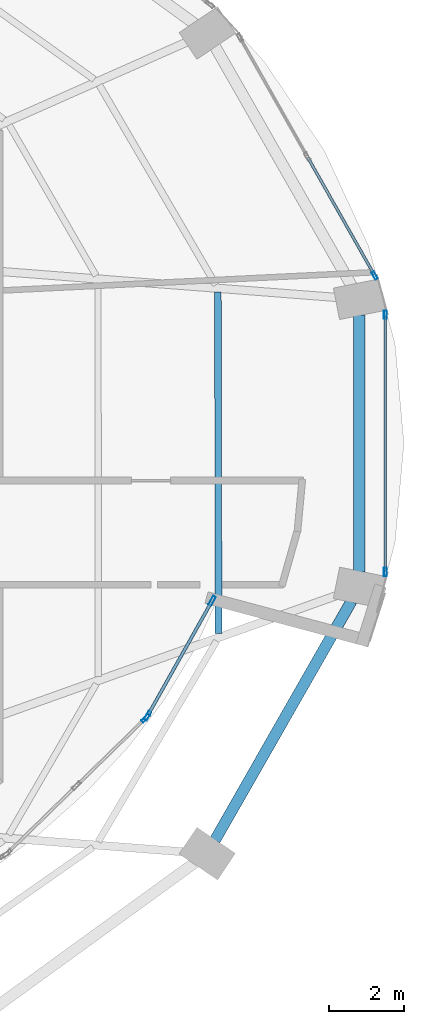
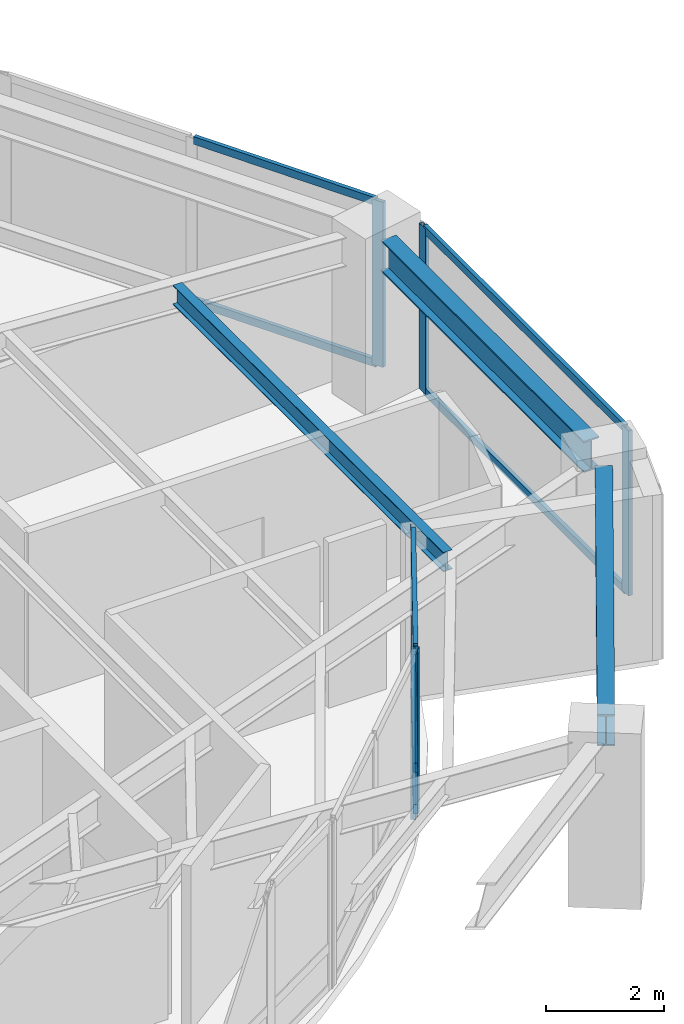
# One storey, part 12 of 24: 13 members, 3 beams, 4 elements without a shape of their own.
"""IFC4 building model written with IfcOpenShell, lengths in metres."""

from ifc_helpers import new_model, si_unit, direction, frame, origin, origin_2d, place, context, subcontext, project, spatial, hollow_rectangle, i_section, extrude, material, layer, layer_set, material_profile, profile_set, type_object, element, aggregate, save


model = new_model("IFC4")

# Units and contexts
model_context = context("Model", 3, precision=1e-05, world=origin(), true_north=direction((0.0, 1.0)))
body_context = subcontext(model_context, "Body", "Model", "MODEL_VIEW")
ifc_project = project(units=[si_unit("LENGTHUNIT", "METRE"), si_unit("AREAUNIT", "SQUARE_METRE"), si_unit("VOLUMEUNIT", "CUBIC_METRE"), si_unit("PLANEANGLEUNIT", "RADIAN"), si_unit("MASSUNIT", "GRAM", prefix="KILO")], contexts=[model_context])

# Site, building, storey
site_placement = place(None, origin())
site = spatial("IfcSite", under=ifc_project, at=site_placement, CompositionType="ELEMENT")
building_placement = place(site_placement, origin())
building = spatial("IfcBuilding", under=site, at=building_placement, Name="Lazwardi Medical Tower", CompositionType="ELEMENT")
storey_placement = place(building_placement, frame((0.0, 0.0, 65.327880859375)))
storey = spatial("IfcBuildingStorey", under=building, at=storey_placement, Name="L16", CompositionType="ELEMENT", Elevation=65.327880859375)

# Beams
ifc_material_1 = material(Name="Steel S355", Category="steel")
ifc_material_profile_1 = material_profile(ifc_material_1, i_section(OverallWidth=0.300048828125, OverallDepth=0.64990234375, WebThickness=0.01611328125, FlangeThickness=0.031005859375, at=origin_2d()), Name="HEB 650")
ifc_profile_set_1 = profile_set([ifc_material_profile_1], Name="Steel S355")
beam_type_1 = type_object("IfcBeamType", Name="BM-RB-Z1", PredefinedType="BEAM", material=ifc_profile_set_1)
beam_1_placement = place(storey_placement, frame((58.927978515625, 19.75048828125, 3.10302734375), z_axis=(0.495829348644, 0.868419977328, 0.0), x_axis=(-0.868419977328, 0.495829348644, 0.0)))
element("IfcBeam", 1, at=beam_1_placement, inside=storey, type_object=beam_type_1, Name="Ring beam RB-02 B03 L16", PredefinedType="BEAM", context=body_context, shape_type="SweptSolid", body=[
    extrude(i_section(OverallWidth=0.300048828125, OverallDepth=0.64990234375, WebThickness=0.01611328125, FlangeThickness=0.031005859375, at=origin_2d()), origin(), (0.0, 0.0, 1.0), 7.38916015625),
])
beam_2_placement = place(storey_placement, frame((62.800048828125, 26.952392578125, 3.10302734375), z_axis=(0.0, 1.0, 0.0), x_axis=(-1.0, 0.0, 0.0)))
element("IfcBeam", 2, at=beam_2_placement, inside=storey, type_object=beam_type_1, Name="Ring beam RB-02 B04 L16", PredefinedType="BEAM", context=body_context, shape_type="SweptSolid", body=[
    extrude(i_section(OverallWidth=0.300048828125, OverallDepth=0.64990234375, WebThickness=0.01611328125, FlangeThickness=0.031005859375, at=origin_2d()), origin(), (0.0, 0.0, 1.0), 6.895263671875),
])
ifc_material_profile_2 = material_profile(ifc_material_1, i_section(OverallWidth=0.179931640625, OverallDepth=0.39990234375, WebThickness=0.008544921875, FlangeThickness=0.013427734375, at=origin_2d()), Name="IPE 400")
ifc_profile_set_2 = profile_set([ifc_material_profile_2], Name="Steel S355")
beam_type_2 = type_object("IfcBeamType", Name="BM-SJ-01", PredefinedType="JOIST", material=ifc_profile_set_2)
beam_3_placement = place(storey_placement, frame((59.0234375, 25.291015625, 3.22802734375), z_axis=(-0.002077613181, 0.999997841759, 0.0), x_axis=(-0.999997841759, -0.002077613181, 0.0)))
element("IfcBeam", 3, at=beam_3_placement, inside=storey, type_object=beam_type_2, Name="Secondary joist SJ-01 R1 B04 L16", PredefinedType="JOIST", context=body_context, shape_type="SweptSolid", body=[
    extrude(i_section(OverallWidth=0.179931640625, OverallDepth=0.39990234375, WebThickness=0.008544921875, FlangeThickness=0.013427734375, at=origin_2d()), origin(), (0.0, 0.0, 1.0), 9.165771484375),
])

# Curtain wall, members
ifc_material_2 = material(Name="Anodised bronze aluminium and solar control glazing", Category="aluminium")
ifc_layer_1 = layer(ifc_material_2, 0.199951171875)
ifc_layer_set_1 = layer_set([ifc_layer_1], Name="Anodised bronze aluminium and solar control glazing")
curtain_wall_type_1 = type_object("IfcCurtainWallType", Name="CW-SYS-02", PredefinedType="NOTDEFINED", material=ifc_layer_set_1)
curtain_wall_1_placement = place(storey_placement, origin())
curtain_wall_1 = element("IfcCurtainWall", 4, at=curtain_wall_1_placement, inside=storey, type_object=curtain_wall_type_1, Name="L16 Unitised bronze curtain wall CW-02", PredefinedType="NOTDEFINED")
ifc_material_3 = material(Name="Anodised bronze aluminium", Category="aluminium")
ifc_material_profile_3 = material_profile(ifc_material_3, hollow_rectangle(XDim=0.074951171875, YDim=0.219970703125, WallThickness=0.00390625, at=origin_2d()), Name="ALU-MULLION 220x75x4")
ifc_profile_set_3 = profile_set([ifc_material_profile_3], Name="Anodised bronze aluminium")
member_type_1 = type_object("IfcMemberType", Name="CW-MUL-01", PredefinedType="MULLION", material=ifc_profile_set_3)
member_1_placement = place(storey_placement, frame((63.49853515625, 26.946044921875, 0.0), z_axis=(0.0, 0.0, 1.0), x_axis=(-1.0, 0.0, 0.0)))
member_1 = element("IfcMember", 5, at=member_1_placement, type_object=member_type_1, Name="CW-02 mullion 1", PredefinedType="MULLION", context=body_context, shape_type="SweptSolid", body=[
    extrude(hollow_rectangle(XDim=0.074951171875, YDim=0.219970703125, WallThickness=0.00390625, at=origin_2d()), origin(), (0.0, 0.0, 1.0), 3.42822265625),
])
member_2_placement = place(storey_placement, frame((63.49853515625, 33.85400390625, 0.0), z_axis=(0.0, 0.0, 1.0), x_axis=(-1.0, 0.0, 0.0)))
member_2 = element("IfcMember", 6, at=member_2_placement, type_object=member_type_1, Name="CW-02 mullion 2", PredefinedType="MULLION", context=body_context, shape_type="SweptSolid", body=[
    extrude(hollow_rectangle(XDim=0.074951171875, YDim=0.219970703125, WallThickness=0.00390625, at=origin_2d()), origin(), (0.0, 0.0, 1.0), 3.42822265625),
])

# Curtain wall, member
curtain_wall_2_placement = place(storey_placement, origin())
curtain_wall_2 = element("IfcCurtainWall", 7, at=curtain_wall_2_placement, inside=storey, type_object=curtain_wall_type_1, Name="L16 Unitised bronze curtain wall CW-02", PredefinedType="NOTDEFINED")
member_3_placement = place(storey_placement, frame((63.214111328125, 34.90234375, 0.0), z_axis=(0.0, 0.0, 1.0), x_axis=(-0.870111838823, -0.492854327303, 0.0)))
member_3 = element("IfcMember", 8, at=member_3_placement, type_object=member_type_1, Name="CW-02 mullion 1", PredefinedType="MULLION", context=body_context, shape_type="SweptSolid", body=[
    extrude(hollow_rectangle(XDim=0.074951171875, YDim=0.219970703125, WallThickness=0.00390625, at=origin_2d()), origin(), (0.0, 0.0, 1.0), 3.42822265625),
])

# Curtain wall, members
ifc_layer_2 = layer(ifc_material_2, 0.239990234375)
ifc_layer_set_2 = layer_set([ifc_layer_2], Name="Anodised bronze aluminium and solar control glazing")
curtain_wall_type_2 = type_object("IfcCurtainWallType", Name="CW-SYS-05", PredefinedType="NOTDEFINED", material=ifc_layer_set_2)
curtain_wall_3_placement = place(storey_placement, origin())
curtain_wall_3 = element("IfcCurtainWall", 9, at=curtain_wall_3_placement, inside=storey, type_object=curtain_wall_type_2, Name="L16 Unitised bronze curtain wall CW-05", PredefinedType="NOTDEFINED")
ifc_material_profile_4 = material_profile(ifc_material_3, hollow_rectangle(XDim=0.0849609375, YDim=0.260009765625, WallThickness=0.0048828125, at=origin_2d()), Name="ALU-MULLION 260x85x5")
ifc_profile_set_4 = profile_set([ifc_material_profile_4], Name="Anodised bronze aluminium")
member_type_2 = type_object("IfcMemberType", Name="CW-MUL-02", PredefinedType="MULLION", material=ifc_profile_set_4)
member_4_placement = place(storey_placement, frame((57.119873046875, 23.091552734375, 0.0), z_axis=(0.0, 0.0, 1.0), x_axis=(-0.871837157649, 0.489795845779, 0.0)))
member_4 = element("IfcMember", 10, at=member_4_placement, type_object=member_type_2, Name="CW-05 mullion 1", PredefinedType="MULLION", context=body_context, shape_type="SweptSolid", body=[
    extrude(hollow_rectangle(XDim=0.0849609375, YDim=0.260009765625, WallThickness=0.0048828125, at=origin_2d()), origin(), (0.0, 0.0, 1.0), 3.42822265625),
])
member_5_placement = place(storey_placement, frame((58.852294921875, 26.17529296875, 0.0), z_axis=(0.0, 0.0, 1.0), x_axis=(-0.871837157649, 0.489795845779, 0.0)))
member_5 = element("IfcMember", 11, at=member_5_placement, type_object=member_type_2, Name="CW-05 mullion 2", PredefinedType="MULLION", context=body_context, shape_type="SweptSolid", body=[
    extrude(hollow_rectangle(XDim=0.0849609375, YDim=0.260009765625, WallThickness=0.0048828125, at=origin_2d()), origin(), (0.0, 0.0, 1.0), 3.42822265625),
])

# Curtain wall, member
curtain_wall_4_placement = place(storey_placement, origin())
curtain_wall_4 = element("IfcCurtainWall", 12, at=curtain_wall_4_placement, inside=storey, type_object=curtain_wall_type_2, Name="L16 Unitised bronze curtain wall CW-05", PredefinedType="NOTDEFINED")
member_6_placement = place(storey_placement, frame((57.068603515625, 23.024658203125, 0.0), z_axis=(0.0, 0.0, 1.0), x_axis=(-0.698402153121, 0.715705548753, 0.0)))
member_6 = element("IfcMember", 13, at=member_6_placement, type_object=member_type_2, Name="CW-05 mullion 3", PredefinedType="MULLION", context=body_context, shape_type="SweptSolid", body=[
    extrude(hollow_rectangle(XDim=0.0849609375, YDim=0.260009765625, WallThickness=0.0048828125, at=origin_2d()), origin(), (0.0, 0.0, 1.0), 3.42822265625),
])
aggregate(curtain_wall_4, [member_6])

# Member
ifc_material_profile_5 = material_profile(ifc_material_3, hollow_rectangle(XDim=0.074951171875, YDim=0.159912109375, WallThickness=0.00390625, at=origin_2d()), Name="ALU-TRANSOM 160x75x4")
ifc_profile_set_5 = profile_set([ifc_material_profile_5], Name="Anodised bronze aluminium")
member_type_3 = type_object("IfcMemberType", Name="CW-TRN-01", PredefinedType="USERDEFINED", material=ifc_profile_set_5)
member_7_placement = place(storey_placement, frame((63.49853515625, 26.9833984375, 0.03759765625), z_axis=(0.0, 1.0, 0.0), x_axis=(-1.0, 0.0, 0.0)))
member_7 = element("IfcMember", 14, at=member_7_placement, type_object=member_type_3, Name="CW-02 transom 1.1", ObjectType="TRANSOM", PredefinedType="USERDEFINED", context=body_context, shape_type="SweptSolid", body=[
    extrude(hollow_rectangle(XDim=0.074951171875, YDim=0.159912109375, WallThickness=0.00390625, at=origin_2d()), origin(), (0.0, 0.0, 1.0), 6.8330078125),
])

member_8_placement = place(storey_placement, frame((63.49853515625, 26.9833984375, 3.390625), z_axis=(0.0, 1.0, 0.0), x_axis=(-1.0, 0.0, 0.0)))
member_8 = element("IfcMember", 15, at=member_8_placement, type_object=member_type_3, Name="CW-02 transom 1.2", ObjectType="TRANSOM", PredefinedType="USERDEFINED", context=body_context, shape_type="SweptSolid", body=[
    extrude(hollow_rectangle(XDim=0.074951171875, YDim=0.159912109375, WallThickness=0.00390625, at=origin_2d()), origin(), (0.0, 0.0, 1.0), 6.8330078125),
])

aggregate(curtain_wall_1, [member_1, member_2, member_7, member_8])

member_9_placement = place(storey_placement, frame((63.195556640625, 34.93505859375, 0.03759765625), z_axis=(-0.492880614687, 0.870096948429, 0.0), x_axis=(-0.870096948429, -0.492880614687, 0.0)))
member_9 = element("IfcMember", 16, at=member_9_placement, type_object=member_type_3, Name="CW-02 transom 1.1", ObjectType="TRANSOM", PredefinedType="USERDEFINED", context=body_context, shape_type="SweptSolid", body=[
    extrude(hollow_rectangle(XDim=0.074951171875, YDim=0.159912109375, WallThickness=0.00390625, at=origin_2d()), origin(), (0.0, 0.0, 1.0), 3.5947265625),
])

member_10_placement = place(storey_placement, frame((63.195556640625, 34.93505859375, 3.390625), z_axis=(-0.492880614687, 0.870096948429, 0.0), x_axis=(-0.870096948429, -0.492880614687, 0.0)))
member_10 = element("IfcMember", 17, at=member_10_placement, type_object=member_type_3, Name="CW-02 transom 1.2", ObjectType="TRANSOM", PredefinedType="USERDEFINED", context=body_context, shape_type="SweptSolid", body=[
    extrude(hollow_rectangle(XDim=0.074951171875, YDim=0.159912109375, WallThickness=0.00390625, at=origin_2d()), origin(), (0.0, 0.0, 1.0), 3.5947265625),
])

aggregate(curtain_wall_2, [member_3, member_9, member_10])

ifc_material_profile_6 = material_profile(ifc_material_3, hollow_rectangle(XDim=0.0849609375, YDim=0.199951171875, WallThickness=0.00439453125, at=origin_2d()), Name="ALU-TRANSOM 200x85x4.5")
ifc_profile_set_6 = profile_set([ifc_material_profile_6], Name="Anodised bronze aluminium")
member_type_4 = type_object("IfcMemberType", Name="CW-TRN-02", PredefinedType="USERDEFINED", material=ifc_profile_set_6)
member_11_placement = place(storey_placement, frame((57.140625, 23.12841796875, 0.042724609375), z_axis=(0.48980453723, 0.871832274758, 0.0), x_axis=(-0.871832274758, 0.48980453723, 0.0)))
member_11 = element("IfcMember", 18, at=member_11_placement, type_object=member_type_4, Name="CW-05 transom 1.1", ObjectType="TRANSOM", PredefinedType="USERDEFINED", context=body_context, shape_type="SweptSolid", body=[
    extrude(hollow_rectangle(XDim=0.0849609375, YDim=0.199951171875, WallThickness=0.00439453125, at=origin_2d()), origin(), (0.0, 0.0, 1.0), 3.4521484375),
])

member_12_placement = place(storey_placement, frame((57.140625, 23.12841796875, 0.900146484375), z_axis=(0.48980453723, 0.871832274758, 0.0), x_axis=(-0.871832274758, 0.48980453723, 0.0)))
member_12 = element("IfcMember", 19, at=member_12_placement, type_object=member_type_4, Name="CW-05 transom 1.2", ObjectType="TRANSOM", PredefinedType="USERDEFINED", context=body_context, shape_type="SweptSolid", body=[
    extrude(hollow_rectangle(XDim=0.0849609375, YDim=0.199951171875, WallThickness=0.00439453125, at=origin_2d()), origin(), (0.0, 0.0, 1.0), 3.4521484375),
])

member_13_placement = place(storey_placement, frame((57.140625, 23.12841796875, 3.385498046875), z_axis=(0.48980453723, 0.871832274758, 0.0), x_axis=(-0.871832274758, 0.48980453723, 0.0)))
member_13 = element("IfcMember", 20, at=member_13_placement, type_object=member_type_4, Name="CW-05 transom 1.3", ObjectType="TRANSOM", PredefinedType="USERDEFINED", context=body_context, shape_type="SweptSolid", body=[
    extrude(hollow_rectangle(XDim=0.0849609375, YDim=0.199951171875, WallThickness=0.00439453125, at=origin_2d()), origin(), (0.0, 0.0, 1.0), 3.4521484375),
])

aggregate(curtain_wall_3, [member_4, member_5, member_11, member_12, member_13])

save(model, "model.ifc")
